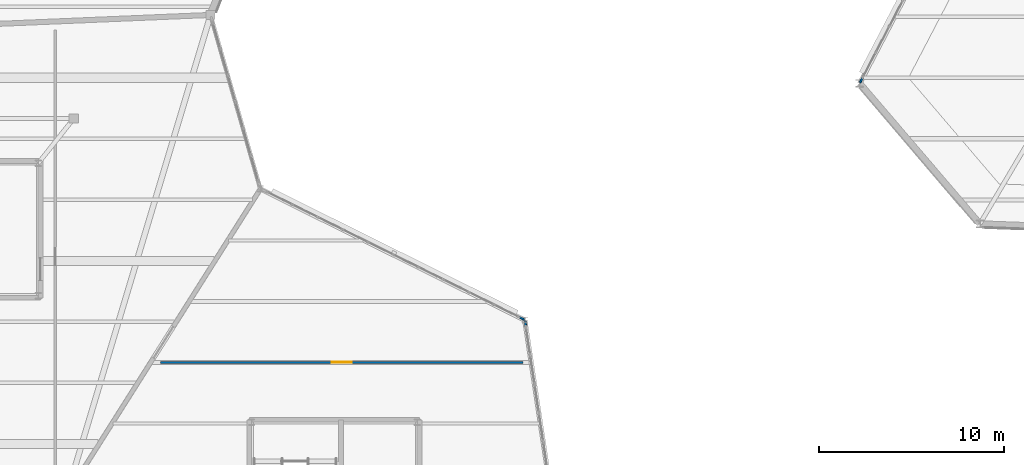
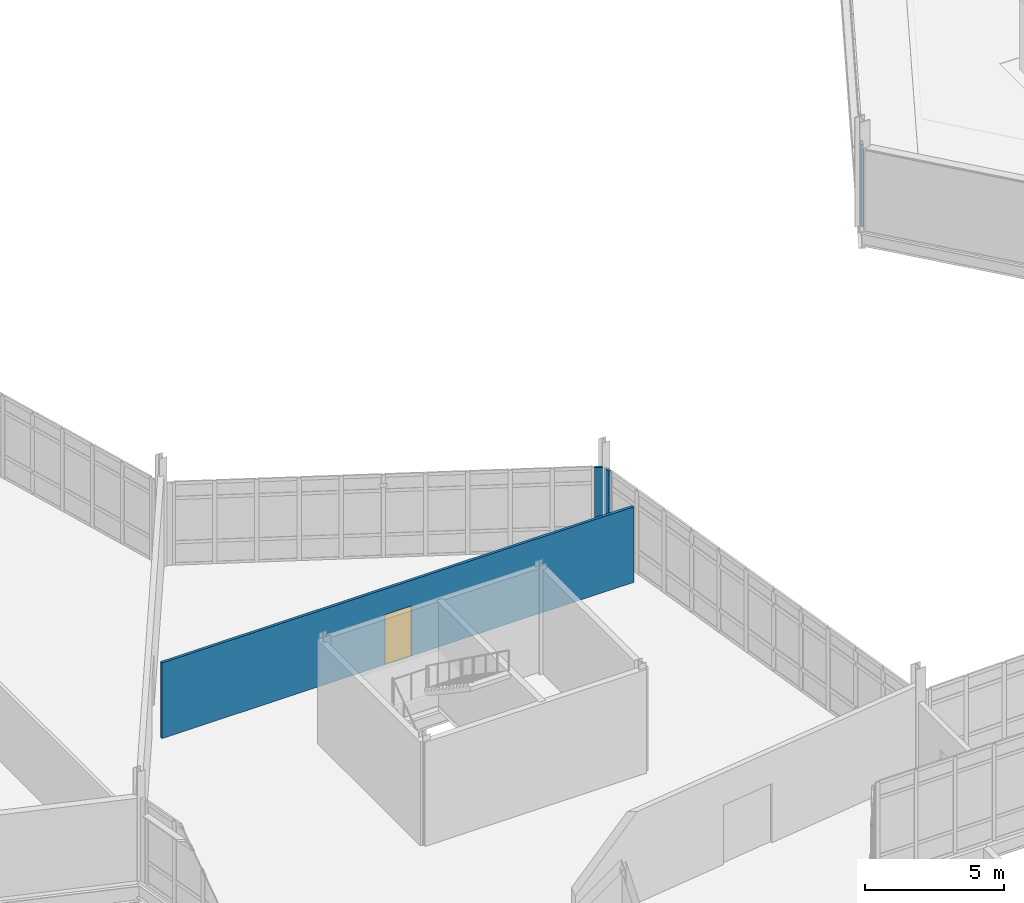
# One storey, part 114 of 134: 4 walls, 1 door, 1 opening.
"""IFC4 building model written with IfcOpenShell, lengths in metres."""

from ifc_helpers import new_model, si_unit, direction, frame, frame_2d, origin, place, context, subcontext, project, spatial, rectangle, extrude, material, layer, layer_set, type_object, element, fill, save


model = new_model("IFC4")

# Units and contexts
model_context = context("Model", 3, precision=1e-05, world=origin(), true_north=direction((0.0, 1.0)))
body_context = subcontext(model_context, "Body", "Model", "MODEL_VIEW")
ifc_project = project(units=[si_unit("LENGTHUNIT", "METRE"), si_unit("AREAUNIT", "SQUARE_METRE"), si_unit("VOLUMEUNIT", "CUBIC_METRE"), si_unit("PLANEANGLEUNIT", "RADIAN"), si_unit("MASSUNIT", "GRAM", prefix="KILO")], contexts=[model_context])

# Site, building, storey
site_placement = place(None, origin())
site = spatial("IfcSite", under=ifc_project, at=site_placement, CompositionType="ELEMENT")
building_placement = place(site_placement, origin())
building = spatial("IfcBuilding", under=site, at=building_placement, Name="Tameran Prism Museum", CompositionType="ELEMENT")
storey_placement = place(building_placement, frame((0.0, 0.0, 5.39990234375)))
storey = spatial("IfcBuildingStorey", under=building, at=storey_placement, Name="L01", CompositionType="ELEMENT", Elevation=5.39990234375)

# Walls
ifc_material_1 = material(Name="Precast Concrete N40 (40 MPa)", Category="concrete")
ifc_layer_1 = layer(ifc_material_1, 0.094970703125)
ifc_layer_set_1 = layer_set([ifc_layer_1])
wall_type_1 = type_object("IfcWallType", Name="EW-CLOS-095", PredefinedType="SOLIDWALL", material=ifc_layer_set_1)
wall_1_placement = place(storey_placement, frame((92.9189453125, 78.93701171875, 0.0), z_axis=(0.0, 0.0, 1.0), x_axis=(0.464243799771, 0.885707454171, 0.0)))
element("IfcWall", 1, at=wall_1_placement, inside=storey, type_object=wall_type_1, Name="Facade Corner Closure EW-0164", PredefinedType="SOLIDWALL", context=body_context, shape_type="SweptSolid", body=[
    extrude(rectangle(XDim=0.30810546875, YDim=0.094970703125, at=frame_2d((0.154052734375, 0.0))), origin(), (0.0, 0.0, 1.0), 3.6201171875),
])
wall_2_placement = place(storey_placement, frame((74.805908203125, 66.05810546875, 0.0), z_axis=(0.0, 0.0, 1.0), x_axis=(0.14996991646, -0.988690560366, 0.0)))
element("IfcWall", 2, at=wall_2_placement, inside=storey, type_object=wall_type_1, Name="Facade Corner Closure EW-0201", PredefinedType="SOLIDWALL", context=body_context, shape_type="SweptSolid", body=[
    extrude(rectangle(XDim=0.3076171875, YDim=0.094970703125, at=frame_2d((0.15380859375, 0.0))), origin(), (0.0, 0.0, 1.0), 3.6201171875),
])
wall_3_placement = place(storey_placement, frame((74.487060546875, 66.256103515625, 0.0), z_axis=(0.0, 0.0, 1.0), x_axis=(0.894744814052, -0.446577784633, 0.0)))
element("IfcWall", 3, at=wall_3_placement, inside=storey, type_object=wall_type_1, Name="Facade Corner Closure EW-0204", PredefinedType="SOLIDWALL", context=body_context, shape_type="SweptSolid", body=[
    extrude(rectangle(XDim=0.30712890625, YDim=0.094970703125, at=frame_2d((0.153564453125, 0.0))), origin(), (0.0, 0.0, 1.0), 3.6201171875),
])

# Wall, opening, door
ifc_material_2 = material(Name="Store Lightweight Stud Partition")
ifc_layer_2 = layer(ifc_material_2, 0.110107421875)
ifc_layer_set_2 = layer_set([ifc_layer_2])
wall_type_2 = type_object("IfcWallType", Name="IW-PRT-110", PredefinedType="PARTITIONING", material=ifc_layer_set_2)
wall_4_placement = place(storey_placement, frame((55.094970703125, 63.81298828125, 0.0), z_axis=(0.0, 0.0, 1.0), x_axis=(1.0, 0.0, 0.0)))
wall_4 = element("IfcWall", 4, at=wall_4_placement, inside=storey, type_object=wall_type_2, Name="Internal Partition PT-0103", PredefinedType="PARTITIONING", context=body_context, shape_type="SweptSolid", body=[
    extrude(rectangle(XDim=19.594970703125, YDim=0.110107421875, at=frame_2d((9.79736328125, 0.0))), origin(), (0.0, 0.0, 1.0), 3.320068359375),
])
opening_placement = place(wall_4_placement, frame((9.2470703125, 0.0, 0.0)))
opening = element("IfcOpeningElement", 5, at=opening_placement, cuts=wall_4, Name="Opening ID-0102", PredefinedType="OPENING", context=body_context, shape_type="SweptSolid", body=[
    extrude(rectangle(XDim=1.10009765625, YDim=2.199951171875, at=frame_2d((0.550048828125, 1.10009765625))), frame((0.0, 0.06494140625, 0.0), z_axis=(0.0, -1.0, 0.0), x_axis=(1.0, 0.0, 0.0)), (0.0, 0.0, 1.0), 0.130126953125),
])
ifc_material_3 = material(Name="Fire-Rated Steel Door Leaf and Frame", Category="steel")
door_type = type_object("IfcDoorType", Name="DR-INT-110", OperationType="NOTDEFINED", PredefinedType="DOOR", material=ifc_material_3)
door_placement = place(opening_placement, origin())
door = element("IfcDoor", 6, at=door_placement, inside=storey, type_object=door_type, Name="Interior Room Door ID-0102", OperationType="SINGLE_SWING_LEFT", OverallHeight=2.199951171875, OverallWidth=1.10009765625, PredefinedType="DOOR", context=body_context, shape_type="SweptSolid", body=[
    extrude(rectangle(XDim=1.10009765625, YDim=2.199951171875, at=frame_2d((0.550048828125, 1.10009765625))), frame((0.0, 0.02490234375, 0.0), z_axis=(0.0, -1.0, 0.0), x_axis=(1.0, 0.0, 0.0)), (0.0, 0.0, 1.0), 0.050048828125),
])
fill(opening, door)

save(model, "model.ifc")
